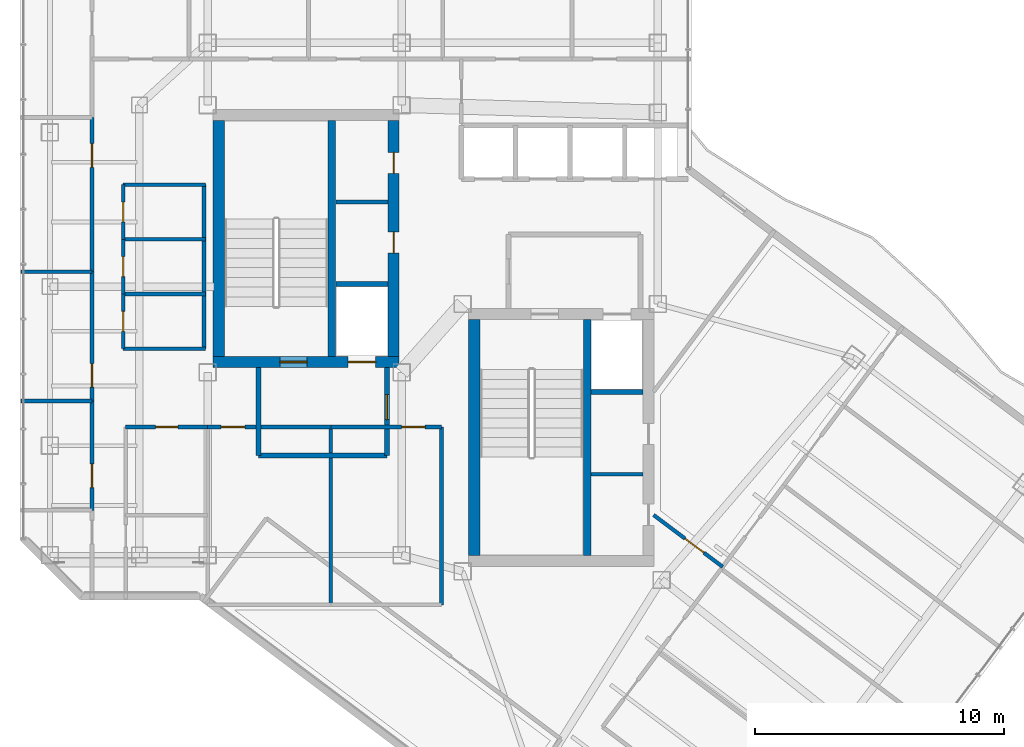
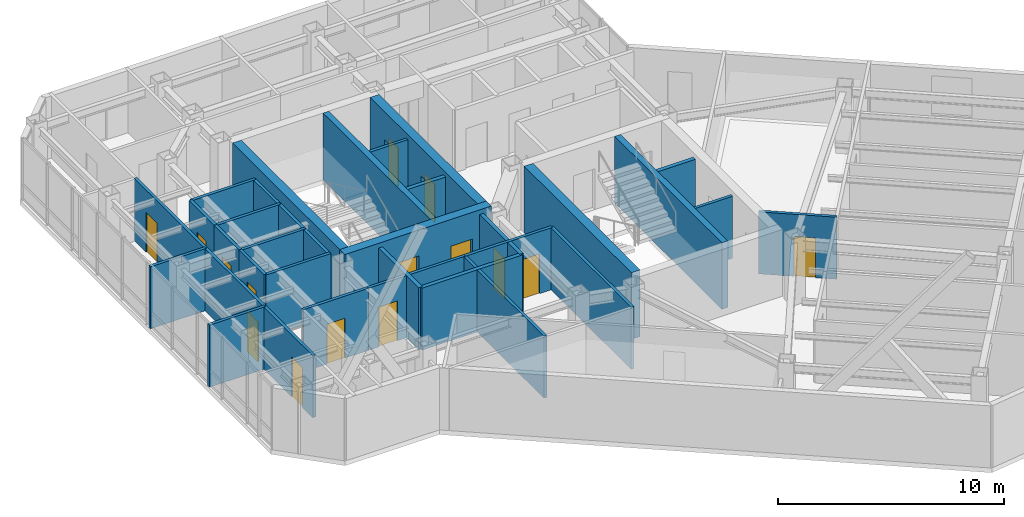
# One storey, part 20 of 25: 32 walls, 15 doors, 15 openings.
"""IFC4 building model written with IfcOpenShell, lengths in metres."""

from ifc_helpers import new_model, si_unit, direction, frame, frame_2d, origin, place, context, subcontext, project, spatial, rectangle, extrude, material, layer, layer_set, type_object, element, fill, save


model = new_model("IFC4")

# Units and contexts
model_context = context("Model", 3, precision=1e-05, world=origin(), true_north=direction((0.0, 1.0)))
body_context = subcontext(model_context, "Body", "Model", "MODEL_VIEW")
ifc_project = project(units=[si_unit("LENGTHUNIT", "METRE"), si_unit("AREAUNIT", "SQUARE_METRE"), si_unit("VOLUMEUNIT", "CUBIC_METRE"), si_unit("PLANEANGLEUNIT", "RADIAN"), si_unit("MASSUNIT", "GRAM", prefix="KILO")], contexts=[model_context])

# Site, building, storey
site_placement = place(None, origin())
site = spatial("IfcSite", under=ifc_project, at=site_placement, CompositionType="ELEMENT")
building_placement = place(site_placement, origin())
building = spatial("IfcBuilding", under=site, at=building_placement, Name="Hatsunagi Terrace Concourse", CompositionType="ELEMENT")
storey_placement = place(building_placement, frame((0.0, 0.0, 223.949951171875)))
storey = spatial("IfcBuildingStorey", under=building, at=storey_placement, Name="L59", CompositionType="ELEMENT", Elevation=223.949951171875)

# Wall, openings, doors
ifc_material_1 = material(Name="Concrete Fc42", Category="concrete")
ifc_layer_1 = layer(ifc_material_1, 0.449951171875)
ifc_layer_set_1 = layer_set([ifc_layer_1], Name="CoreShearWall_Fc42_450")
wall_type_1 = type_object("IfcWallType", Name="CoreShearWall_Fc42_450", PredefinedType="SHEAR", material=ifc_layer_set_1)
wall_1_placement = place(storey_placement, frame((25.77001953125, 32.965087890625, 0.0), z_axis=(0.0, 0.0, 1.0), x_axis=(1.0, 0.0, 0.0)))
wall_1 = element("IfcWall", 1, at=wall_1_placement, inside=storey, type_object=wall_type_1, Name="Core A Shear Wall S L59", PredefinedType="SHEAR", context=body_context, shape_type="SweptSolid", body=[
    extrude(rectangle(XDim=7.47998046875, YDim=0.449951171875, at=frame_2d((3.739990234375, 0.0))), origin(), (0.0, 0.0, 1.0), 3.60009765625),
])
opening_1_placement = place(wall_1_placement, frame((2.679931640625, 0.0, 0.0)))
opening_1 = element("IfcOpeningElement", 2, at=opening_1_placement, cuts=wall_1, Name="Opening DR-110S", PredefinedType="OPENING", context=body_context, shape_type="SweptSolid", body=[
    extrude(rectangle(XDim=1.10009765625, YDim=2.199951171875, at=frame_2d((0.550048828125, 1.10009765625))), frame((0.0, 0.23486328125, 0.0), z_axis=(0.0, -1.0, 0.0), x_axis=(1.0, 0.0, 0.0)), (0.0, 0.0, 1.0), 0.469970703125),
])
opening_2_placement = place(wall_1_placement, frame((5.429931640625, 0.0, 0.0)))
opening_2 = element("IfcOpeningElement", 3, at=opening_2_placement, cuts=wall_1, Name="Opening LD-01", PredefinedType="OPENING", context=body_context, shape_type="SweptSolid", body=[
    extrude(rectangle(XDim=1.10009765625, YDim=2.14990234375, at=frame_2d((0.550048828125, 1.074951171875))), frame((0.0, 0.23486328125, 0.0), z_axis=(0.0, -1.0, 0.0), x_axis=(1.0, 0.0, 0.0)), (0.0, 0.0, 1.0), 0.469970703125),
])
ifc_material_2 = material(Name="Stainless steel", Category="steel")
door_type_1 = type_object("IfcDoorType", Name="LiftLandingDoor_LD01", OperationType="SLIDING_TO_LEFT", PredefinedType="USERDEFINED", material=ifc_material_2)
door_1_placement = place(opening_2_placement, origin())
door_1 = element("IfcDoor", 4, at=door_1_placement, inside=storey, type_object=door_type_1, Name="Lift landing door FF-01 L59", ObjectType="SLIDING_LANDING_DOOR", OperationType="SLIDING_TO_LEFT", OverallHeight=2.14990234375, OverallWidth=1.10009765625, PredefinedType="USERDEFINED", context=body_context, shape_type="SweptSolid", body=[
    extrude(rectangle(XDim=1.10009765625, YDim=2.14990234375, at=frame_2d((0.550048828125, 1.074951171875))), frame((0.0, 0.02490234375, 0.0), z_axis=(0.0, -1.0, 0.0), x_axis=(1.0, 0.0, 0.0)), (0.0, 0.0, 1.0), 0.050048828125),
])
fill(opening_2, door_1)
ifc_material_3 = material(Name="Painted steel", Category="steel")
door_type_2 = type_object("IfcDoorType", Name="StairFireDoor_EI60_1100", OperationType="NOTDEFINED", PredefinedType="DOOR", material=ifc_material_3)
door_2_placement = place(opening_1_placement, origin())
door_2 = element("IfcDoor", 5, at=door_2_placement, inside=storey, type_object=door_type_2, Name="Stair ST-A Exit Door L59", OperationType="SINGLE_SWING_LEFT", OverallHeight=2.199951171875, OverallWidth=1.10009765625, PredefinedType="DOOR", context=body_context, shape_type="SweptSolid", body=[
    extrude(rectangle(XDim=1.10009765625, YDim=2.199951171875, at=frame_2d((0.550048828125, 1.10009765625))), frame((0.0, 0.02490234375, 0.0), z_axis=(0.0, -1.0, 0.0), x_axis=(1.0, 0.0, 0.0)), (0.0, 0.0, 1.0), 0.050048828125),
])
fill(opening_1, door_2)

# Wall
wall_2_placement = place(storey_placement, frame((25.9951171875, 33.18994140625, 0.0), z_axis=(0.0, 0.0, 1.0), x_axis=(0.0, 1.0, 0.0)))
element("IfcWall", 6, at=wall_2_placement, inside=storey, type_object=wall_type_1, Name="Core A Shear Wall W L59", PredefinedType="SHEAR", context=body_context, shape_type="SweptSolid", body=[
    extrude(rectangle(XDim=9.47998046875, YDim=0.449951171875, at=frame_2d((4.739990234375, 0.0))), origin(), (0.0, 0.0, 1.0), 3.60009765625),
])

# Wall, openings, doors
wall_3_placement = place(storey_placement, frame((33.02490234375, 33.18994140625, 0.0), z_axis=(0.0, 0.0, 1.0), x_axis=(0.0, 1.0, 0.0)))
wall_3 = element("IfcWall", 7, at=wall_3_placement, inside=storey, type_object=wall_type_1, Name="Core A Shear Wall E L59", PredefinedType="SHEAR", context=body_context, shape_type="SweptSolid", body=[
    extrude(rectangle(XDim=9.47998046875, YDim=0.449951171875, at=frame_2d((4.739990234375, 0.0))), origin(), (0.0, 0.0, 1.0), 3.60009765625),
])
opening_3_placement = place(wall_3_placement, frame((4.159912109375, 0.0, 0.0)))
opening_3 = element("IfcOpeningElement", 8, at=opening_3_placement, cuts=wall_3, Name="Opening DR-085", PredefinedType="OPENING", context=body_context, shape_type="SweptSolid", body=[
    extrude(rectangle(XDim=0.85009765625, YDim=2.080078125, at=frame_2d((0.425048828125, 1.0400390625))), frame((0.0, 0.23486328125, 0.0), z_axis=(0.0, -1.0, 0.0), x_axis=(1.0, 0.0, 0.0)), (0.0, 0.0, 1.0), 0.469970703125),
])
opening_4_placement = place(wall_3_placement, frame((7.360107421875, 0.0, 0.0)))
opening_4 = element("IfcOpeningElement", 9, at=opening_4_placement, cuts=wall_3, Name="Opening DR-085", PredefinedType="OPENING", context=body_context, shape_type="SweptSolid", body=[
    extrude(rectangle(XDim=0.85009765625, YDim=2.080078125, at=frame_2d((0.425048828125, 1.0400390625))), frame((0.0, 0.23486328125, 0.0), z_axis=(0.0, -1.0, 0.0), x_axis=(1.0, 0.0, 0.0)), (0.0, 0.0, 1.0), 0.469970703125),
])
ifc_material_4 = material(Name="Painted steel", Category="steel")
door_type_3 = type_object("IfcDoorType", Name="RiserAccessDoor_EI60_850", OperationType="NOTDEFINED", PredefinedType="DOOR", material=ifc_material_4)
door_3_placement = place(opening_3_placement, origin())
door_3 = element("IfcDoor", 10, at=door_3_placement, inside=storey, type_object=door_type_3, Name="Core A Riser Door L59-1", OperationType="SINGLE_SWING_LEFT", OverallHeight=2.080078125, OverallWidth=0.85009765625, PredefinedType="DOOR", context=body_context, shape_type="SweptSolid", body=[
    extrude(rectangle(XDim=0.85009765625, YDim=2.080078125, at=frame_2d((0.425048828125, 1.0400390625))), frame((0.0, 0.02490234375, 0.0), z_axis=(0.0, -1.0, 0.0), x_axis=(1.0, 0.0, 0.0)), (0.0, 0.0, 1.0), 0.050048828125),
])
fill(opening_3, door_3)
door_4_placement = place(opening_4_placement, origin())
door_4 = element("IfcDoor", 11, at=door_4_placement, inside=storey, type_object=door_type_3, Name="Core A Riser Door L59-2", OperationType="SINGLE_SWING_LEFT", OverallHeight=2.080078125, OverallWidth=0.85009765625, PredefinedType="DOOR", context=body_context, shape_type="SweptSolid", body=[
    extrude(rectangle(XDim=0.85009765625, YDim=2.080078125, at=frame_2d((0.425048828125, 1.0400390625))), frame((0.0, 0.02490234375, 0.0), z_axis=(0.0, -1.0, 0.0), x_axis=(1.0, 0.0, 0.0)), (0.0, 0.0, 1.0), 0.050048828125),
])
fill(opening_4, door_4)

# Walls
wall_4_placement = place(storey_placement, frame((36.264892578125, 25.18994140625, 0.0), z_axis=(0.0, 0.0, 1.0), x_axis=(0.0, 1.0, 0.0)))
element("IfcWall", 12, at=wall_4_placement, inside=storey, type_object=wall_type_1, Name="Core B Shear Wall W L59", PredefinedType="SHEAR", context=body_context, shape_type="SweptSolid", body=[
    extrude(rectangle(XDim=9.47998046875, YDim=0.449951171875, at=frame_2d((4.739990234375, 0.0))), origin(), (0.0, 0.0, 1.0), 3.60009765625),
])
ifc_material_5 = material(Name="Concrete Fc48", Category="concrete")
ifc_layer_2 = layer(ifc_material_5, 0.300048828125)
ifc_layer_set_2 = layer_set([ifc_layer_2], Name="CoreStairDivider_Fc48_300")
wall_type_2 = type_object("IfcWallType", Name="CoreStairDivider_Fc48_300", PredefinedType="SHEAR", material=ifc_layer_set_2)
for number, where, z_axis, x_axis, name in (
    (13, (30.5400390625, 33.18994140625, 0.0), (0.0, 0.0, 1.0), (0.0, 1.0, 0.0), "Core A Shear Wall D L59"),
    (14, (40.81005859375, 25.18994140625, 0.0), (0.0, 0.0, 1.0), (0.0, 1.0, 0.0), "Core B Shear Wall D L59"),
):
    element("IfcWall", number, at=place(storey_placement, frame(where, z_axis=z_axis, x_axis=x_axis)), inside=storey, type_object=wall_type_2, Name=name, PredefinedType="SHEAR", context=body_context, shape_type="SweptSolid", body=[
        extrude(rectangle(XDim=9.47998046875, YDim=0.300048828125, at=frame_2d((4.739990234375, 0.0))), origin(), (0.0, 0.0, 1.0), 3.60009765625),
    ])
ifc_material_6 = material(Name="Acoustic mineral board", Category="gypsum")
ifc_layer_3 = layer(ifc_material_6, 0.14990234375)
ifc_layer_set_3 = layer_set([ifc_layer_3], Name="PartitionWall_EI60_150")
wall_type_3 = type_object("IfcWallType", Name="PartitionWall_EI60_150", PredefinedType="PARTITIONING", material=ifc_layer_set_3)
wall_5_placement = place(storey_placement, frame((30.699951171875, 39.39990234375, 0.0), z_axis=(0.0, 0.0, 1.0), x_axis=(1.0, 0.0, 0.0)))
element("IfcWall", 15, at=wall_5_placement, inside=storey, type_object=wall_type_3, Name="Interior Partition IW-L59-002", PredefinedType="PARTITIONING", context=body_context, shape_type="SweptSolid", body=[
    extrude(rectangle(XDim=2.10009765625, YDim=0.14990234375, at=frame_2d((1.050048828125, 0.0))), origin(), (0.0, 0.0, 1.0), 3.35009765625),
])
wall_6_placement = place(storey_placement, frame((40.969970703125, 28.449951171875, 0.0), z_axis=(0.0, 0.0, 1.0), x_axis=(1.0, 0.0, 0.0)))
element("IfcWall", 16, at=wall_6_placement, inside=storey, type_object=wall_type_3, Name="Interior Partition IW-L59-004", PredefinedType="PARTITIONING", context=body_context, shape_type="SweptSolid", body=[
    extrude(rectangle(XDim=2.080078125, YDim=0.14990234375, at=frame_2d((1.0400390625, 0.0))), origin(), (0.0, 0.0, 1.0), 3.35009765625),
])
for number, where, z_axis, x_axis, name in (
    (17, (22.14990234375, 33.5, 0.0), (0.0, 0.0, 1.0), (1.0, 0.0, 0.0), "Interior Partition IW-L59-017"),
    (18, (22.14990234375, 40.10009765625, 0.0), (0.0, 0.0, 1.0), (1.0, 0.0, 0.0), "Interior Partition IW-L59-018"),
):
    element("IfcWall", number, at=place(storey_placement, frame(where, z_axis=z_axis, x_axis=x_axis)), inside=storey, type_object=wall_type_3, Name=name, PredefinedType="PARTITIONING", context=body_context, shape_type="SweptSolid", body=[
        extrude(rectangle(XDim=3.300048828125, YDim=0.14990234375, at=frame_2d((1.64990234375, 0.0))), origin(), (0.0, 0.0, 1.0), 3.35009765625),
    ])
wall_7_placement = place(storey_placement, frame((25.39990234375, 33.5, 0.0), z_axis=(0.0, 0.0, 1.0), x_axis=(0.0, 1.0, 0.0)))
element("IfcWall", 19, at=wall_7_placement, inside=storey, type_object=wall_type_3, Name="Interior Partition IW-L59-019", PredefinedType="PARTITIONING", context=body_context, shape_type="SweptSolid", body=[
    extrude(rectangle(XDim=6.60009765625, YDim=0.14990234375, at=frame_2d((3.300048828125, 0.0))), origin(), (0.0, 0.0, 1.0), 3.35009765625),
])
for number, where, z_axis, x_axis, name in (
    (20, (22.14990234375, 35.699951171875, 0.0), (0.0, 0.0, 1.0), (1.0, 0.0, 0.0), "Interior Partition IW-L59-020"),
    (21, (22.14990234375, 37.89990234375, 0.0), (0.0, 0.0, 1.0), (1.0, 0.0, 0.0), "Interior Partition IW-L59-021"),
):
    element("IfcWall", number, at=place(storey_placement, frame(where, z_axis=z_axis, x_axis=x_axis)), inside=storey, type_object=wall_type_3, Name=name, PredefinedType="PARTITIONING", context=body_context, shape_type="SweptSolid", body=[
        extrude(rectangle(XDim=3.300048828125, YDim=0.14990234375, at=frame_2d((1.64990234375, 0.0))), origin(), (0.0, 0.0, 1.0), 3.35009765625),
    ])

# Wall, opening, door
wall_8_placement = place(storey_placement, frame((22.14990234375, 33.5, 0.0), z_axis=(0.0, 0.0, 1.0), x_axis=(0.0, 1.0, 0.0)))
wall_8 = element("IfcWall", 22, at=wall_8_placement, inside=storey, type_object=wall_type_3, Name="Interior Partition IW-L59-022", PredefinedType="PARTITIONING", context=body_context, shape_type="SweptSolid", body=[
    extrude(rectangle(XDim=2.199951171875, YDim=0.14990234375, at=frame_2d((1.10009765625, 0.0))), origin(), (0.0, 0.0, 1.0), 3.35009765625),
])
opening_5_placement = place(wall_8_placement, frame((0.699951171875, 0.0, 0.0)))
opening_5 = element("IfcOpeningElement", 23, at=opening_5_placement, cuts=wall_8, Name="Opening DR-080", PredefinedType="OPENING", context=body_context, shape_type="SweptSolid", body=[
    extrude(rectangle(XDim=0.800048828125, YDim=2.06005859375, at=frame_2d((0.39990234375, 1.030029296875))), frame((0.0, 0.0849609375, 0.0), z_axis=(0.0, -1.0, 0.0), x_axis=(1.0, 0.0, 0.0)), (0.0, 0.0, 1.0), 0.169921875),
])
ifc_material_7 = material(Name="Hardwood timber", Category="wood")
door_type_4 = type_object("IfcDoorType", Name="BathroomDoor_800", OperationType="NOTDEFINED", PredefinedType="DOOR", material=ifc_material_7)
door_5_placement = place(opening_5_placement, origin())
door_5 = element("IfcDoor", 24, at=door_5_placement, inside=storey, type_object=door_type_4, Name="Accessible WC Door L59", OperationType="SINGLE_SWING_RIGHT", OverallHeight=2.06005859375, OverallWidth=0.800048828125, PredefinedType="DOOR", context=body_context, shape_type="SweptSolid", body=[
    extrude(rectangle(XDim=0.800048828125, YDim=2.06005859375, at=frame_2d((0.39990234375, 1.030029296875))), frame((0.0, 0.02490234375, 0.0), z_axis=(0.0, -1.0, 0.0), x_axis=(1.0, 0.0, 0.0)), (0.0, 0.0, 1.0), 0.050048828125),
])
fill(opening_5, door_5)

wall_9_placement = place(storey_placement, frame((22.14990234375, 35.699951171875, 0.0), z_axis=(0.0, 0.0, 1.0), x_axis=(0.0, 1.0, 0.0)))
wall_9 = element("IfcWall", 25, at=wall_9_placement, inside=storey, type_object=wall_type_3, Name="Interior Partition IW-L59-023", PredefinedType="PARTITIONING", context=body_context, shape_type="SweptSolid", body=[
    extrude(rectangle(XDim=2.199951171875, YDim=0.14990234375, at=frame_2d((1.10009765625, 0.0))), origin(), (0.0, 0.0, 1.0), 3.35009765625),
])
opening_6_placement = place(wall_9_placement, frame((0.699951171875, 0.0, 0.0)))
opening_6 = element("IfcOpeningElement", 26, at=opening_6_placement, cuts=wall_9, Name="Opening DR-080", PredefinedType="OPENING", context=body_context, shape_type="SweptSolid", body=[
    extrude(rectangle(XDim=0.800048828125, YDim=2.06005859375, at=frame_2d((0.39990234375, 1.030029296875))), frame((0.0, 0.0849609375, 0.0), z_axis=(0.0, -1.0, 0.0), x_axis=(1.0, 0.0, 0.0)), (0.0, 0.0, 1.0), 0.169921875),
])
door_6_placement = place(opening_6_placement, origin())
door_6 = element("IfcDoor", 27, at=door_6_placement, inside=storey, type_object=door_type_4, Name="Female Restroom Door L59", OperationType="SINGLE_SWING_RIGHT", OverallHeight=2.06005859375, OverallWidth=0.800048828125, PredefinedType="DOOR", context=body_context, shape_type="SweptSolid", body=[
    extrude(rectangle(XDim=0.800048828125, YDim=2.06005859375, at=frame_2d((0.39990234375, 1.030029296875))), frame((0.0, 0.02490234375, 0.0), z_axis=(0.0, -1.0, 0.0), x_axis=(1.0, 0.0, 0.0)), (0.0, 0.0, 1.0), 0.050048828125),
])
fill(opening_6, door_6)

wall_10_placement = place(storey_placement, frame((22.14990234375, 37.89990234375, 0.0), z_axis=(0.0, 0.0, 1.0), x_axis=(0.0, 1.0, 0.0)))
wall_10 = element("IfcWall", 28, at=wall_10_placement, inside=storey, type_object=wall_type_3, Name="Interior Partition IW-L59-024", PredefinedType="PARTITIONING", context=body_context, shape_type="SweptSolid", body=[
    extrude(rectangle(XDim=2.2001953125, YDim=0.14990234375, at=frame_2d((1.10009765625, 0.0))), origin(), (0.0, 0.0, 1.0), 3.35009765625),
])
opening_7_placement = place(wall_10_placement, frame((0.699951171875, 0.0, 0.0)))
opening_7 = element("IfcOpeningElement", 29, at=opening_7_placement, cuts=wall_10, Name="Opening DR-080", PredefinedType="OPENING", context=body_context, shape_type="SweptSolid", body=[
    extrude(rectangle(XDim=0.800048828125, YDim=2.06005859375, at=frame_2d((0.39990234375, 1.030029296875))), frame((0.0, 0.0849609375, 0.0), z_axis=(0.0, -1.0, 0.0), x_axis=(1.0, 0.0, 0.0)), (0.0, 0.0, 1.0), 0.169921875),
])
door_7_placement = place(opening_7_placement, origin())
door_7 = element("IfcDoor", 30, at=door_7_placement, inside=storey, type_object=door_type_4, Name="Male Restroom Door L59", OperationType="SINGLE_SWING_RIGHT", OverallHeight=2.06005859375, OverallWidth=0.800048828125, PredefinedType="DOOR", context=body_context, shape_type="SweptSolid", body=[
    extrude(rectangle(XDim=0.800048828125, YDim=2.06005859375, at=frame_2d((0.39990234375, 1.030029296875))), frame((0.0, 0.02490234375, 0.0), z_axis=(0.0, -1.0, 0.0), x_axis=(1.0, 0.0, 0.0)), (0.0, 0.0, 1.0), 0.050048828125),
])
fill(opening_7, door_7)

wall_11_placement = place(storey_placement, frame((25.550048828125, 30.35009765625, 0.0), z_axis=(0.0, 0.0, 1.0), x_axis=(1.0, 0.0, 0.0)))
wall_11 = element("IfcWall", 31, at=wall_11_placement, inside=storey, type_object=wall_type_3, Name="Interior Partition IW-L59-026", PredefinedType="PARTITIONING", context=body_context, shape_type="SweptSolid", body=[
    extrude(rectangle(XDim=4.949951171875, YDim=0.14990234375, at=frame_2d((2.47509765625, 0.0))), origin(), (0.0, 0.0, 1.0), 3.35009765625),
])
opening_8_placement = place(wall_11_placement, frame((0.5419921875, 0.0, 0.0)))
opening_8 = element("IfcOpeningElement", 32, at=opening_8_placement, cuts=wall_11, Name="Opening DR-095", PredefinedType="OPENING", context=body_context, shape_type="SweptSolid", body=[
    extrude(rectangle(XDim=0.949951171875, YDim=2.14990234375, at=frame_2d((0.47509765625, 1.074951171875))), frame((0.0, 0.0849609375, 0.0), z_axis=(0.0, -1.0, 0.0), x_axis=(1.0, 0.0, 0.0)), (0.0, 0.0, 1.0), 0.169921875),
])
ifc_material_8 = material(Name="Hardwood timber", Category="wood")
door_type_5 = type_object("IfcDoorType", Name="InteriorSuiteDoor_EI30_950", OperationType="NOTDEFINED", PredefinedType="DOOR", material=ifc_material_8)
door_8_placement = place(opening_8_placement, origin())
door_8 = element("IfcDoor", 33, at=door_8_placement, inside=storey, type_object=door_type_5, Name="Breakout Pantry L59-RECL1 Door", OperationType="SINGLE_SWING_RIGHT", OverallHeight=2.14990234375, OverallWidth=0.949951171875, PredefinedType="DOOR", context=body_context, shape_type="SweptSolid", body=[
    extrude(rectangle(XDim=0.949951171875, YDim=2.14990234375, at=frame_2d((0.47509765625, 1.074951171875))), frame((0.0, 0.02490234375, 0.0), z_axis=(0.0, -1.0, 0.0), x_axis=(1.0, 0.0, 0.0)), (0.0, 0.0, 1.0), 0.050048828125),
])
fill(opening_8, door_8)

# Wall
wall_12_placement = place(storey_placement, frame((30.5, 23.199951171875, 0.0), z_axis=(0.0, 0.0, 1.0), x_axis=(0.0, 1.0, 0.0)))
element("IfcWall", 34, at=wall_12_placement, inside=storey, type_object=wall_type_3, Name="Interior Partition IW-L59-028", PredefinedType="PARTITIONING", context=body_context, shape_type="SweptSolid", body=[
    extrude(rectangle(XDim=7.150146484375, YDim=0.14990234375, at=frame_2d((3.5751953125, 0.0))), origin(), (0.0, 0.0, 1.0), 3.35009765625),
])

# Wall, opening, door
wall_13_placement = place(storey_placement, frame((30.5, 30.35009765625, 0.0), z_axis=(0.0, 0.0, 1.0), x_axis=(1.0, 0.0, 0.0)))
wall_13 = element("IfcWall", 35, at=wall_13_placement, inside=storey, type_object=wall_type_3, Name="Interior Partition IW-L59-030", PredefinedType="PARTITIONING", context=body_context, shape_type="SweptSolid", body=[
    extrude(rectangle(XDim=4.449951171875, YDim=0.14990234375, at=frame_2d((2.22509765625, 0.0))), origin(), (0.0, 0.0, 1.0), 3.35009765625),
])
opening_9_placement = place(wall_13_placement, frame((2.845947265625, 0.0, 0.0)))
opening_9 = element("IfcOpeningElement", 36, at=opening_9_placement, cuts=wall_13, Name="Opening DR-095", PredefinedType="OPENING", context=body_context, shape_type="SweptSolid", body=[
    extrude(rectangle(XDim=0.949951171875, YDim=2.14990234375, at=frame_2d((0.47509765625, 1.074951171875))), frame((0.0, 0.0849609375, 0.0), z_axis=(0.0, -1.0, 0.0), x_axis=(1.0, 0.0, 0.0)), (0.0, 0.0, 1.0), 0.169921875),
])
door_9_placement = place(opening_9_placement, origin())
door_9 = element("IfcDoor", 37, at=door_9_placement, inside=storey, type_object=door_type_5, Name="Focus Room L59-RECL2 Door", OperationType="SINGLE_SWING_RIGHT", OverallHeight=2.14990234375, OverallWidth=0.949951171875, PredefinedType="DOOR", context=body_context, shape_type="SweptSolid", body=[
    extrude(rectangle(XDim=0.949951171875, YDim=2.14990234375, at=frame_2d((0.47509765625, 1.074951171875))), frame((0.0, 0.02490234375, 0.0), z_axis=(0.0, -1.0, 0.0), x_axis=(1.0, 0.0, 0.0)), (0.0, 0.0, 1.0), 0.050048828125),
])
fill(opening_9, door_9)

# Walls
wall_14_placement = place(storey_placement, frame((34.949951171875, 23.199951171875, 0.0), z_axis=(0.0, 0.0, 1.0), x_axis=(0.0, 1.0, 0.0)))
element("IfcWall", 38, at=wall_14_placement, inside=storey, type_object=wall_type_3, Name="Interior Partition IW-L59-031", PredefinedType="PARTITIONING", context=body_context, shape_type="SweptSolid", body=[
    extrude(rectangle(XDim=7.150146484375, YDim=0.14990234375, at=frame_2d((3.5751953125, 0.0))), origin(), (0.0, 0.0, 1.0), 3.35009765625),
])
wall_15_placement = place(storey_placement, frame((18.0400390625, 31.39990234375, 0.0), z_axis=(0.0, 0.0, 1.0), x_axis=(1.0, 0.0, 0.0)))
element("IfcWall", 39, at=wall_15_placement, inside=storey, type_object=wall_type_3, Name="Interior Partition IW-L59-034", PredefinedType="PARTITIONING", context=body_context, shape_type="SweptSolid", body=[
    extrude(rectangle(XDim=2.85986328125, YDim=0.14990234375, at=frame_2d((1.429931640625, 0.0))), origin(), (0.0, 0.0, 1.0), 3.35009765625),
])

# Wall, opening, door
wall_16_placement = place(storey_placement, frame((20.89990234375, 27.0, 0.0), z_axis=(0.0, 0.0, 1.0), x_axis=(0.0, 1.0, 0.0)))
wall_16 = element("IfcWall", 40, at=wall_16_placement, inside=storey, type_object=wall_type_3, Name="Interior Partition IW-L59-035", PredefinedType="PARTITIONING", context=body_context, shape_type="SweptSolid", body=[
    extrude(rectangle(XDim=4.39990234375, YDim=0.14990234375, at=frame_2d((2.199951171875, 0.0))), origin(), (0.0, 0.0, 1.0), 3.35009765625),
])
opening_10_placement = place(wall_16_placement, frame((0.91796875, 0.0, 0.0)))
opening_10 = element("IfcOpeningElement", 41, at=opening_10_placement, cuts=wall_16, Name="Opening DR-095", PredefinedType="OPENING", context=body_context, shape_type="SweptSolid", body=[
    extrude(rectangle(XDim=0.949951171875, YDim=2.14990234375, at=frame_2d((0.47509765625, 1.074951171875))), frame((0.0, 0.0849609375, 0.0), z_axis=(0.0, -1.0, 0.0), x_axis=(1.0, 0.0, 0.0)), (0.0, 0.0, 1.0), 0.169921875),
])
door_10_placement = place(opening_10_placement, origin())
door_10 = element("IfcDoor", 42, at=door_10_placement, inside=storey, type_object=door_type_5, Name="Executive Office L59-OW2 Door", OperationType="SINGLE_SWING_RIGHT", OverallHeight=2.14990234375, OverallWidth=0.949951171875, PredefinedType="DOOR", context=body_context, shape_type="SweptSolid", body=[
    extrude(rectangle(XDim=0.949951171875, YDim=2.14990234375, at=frame_2d((0.47509765625, 1.074951171875))), frame((0.0, 0.02490234375, 0.0), z_axis=(0.0, -1.0, 0.0), x_axis=(1.0, 0.0, 0.0)), (0.0, 0.0, 1.0), 0.050048828125),
])
fill(opening_10, door_10)

# Wall
wall_17_placement = place(storey_placement, frame((18.0400390625, 36.60009765625, 0.0), z_axis=(0.0, 0.0, 1.0), x_axis=(1.0, 0.0, 0.0)))
element("IfcWall", 43, at=wall_17_placement, inside=storey, type_object=wall_type_3, Name="Interior Partition IW-L59-036", PredefinedType="PARTITIONING", context=body_context, shape_type="SweptSolid", body=[
    extrude(rectangle(XDim=2.85986328125, YDim=0.14990234375, at=frame_2d((1.429931640625, 0.0))), origin(), (0.0, 0.0, 1.0), 3.35009765625),
])

# Wall, opening, door
wall_18_placement = place(storey_placement, frame((20.89990234375, 31.39990234375, 0.0), z_axis=(0.0, 0.0, 1.0), x_axis=(0.0, 1.0, 0.0)))
wall_18 = element("IfcWall", 44, at=wall_18_placement, inside=storey, type_object=wall_type_3, Name="Interior Partition IW-L59-037", PredefinedType="PARTITIONING", context=body_context, shape_type="SweptSolid", body=[
    extrude(rectangle(XDim=5.2001953125, YDim=0.14990234375, at=frame_2d((2.60009765625, 0.0))), origin(), (0.0, 0.0, 1.0), 3.35009765625),
])
opening_11_placement = place(wall_18_placement, frame((0.553955078125, 0.0, 0.0)))
opening_11 = element("IfcOpeningElement", 45, at=opening_11_placement, cuts=wall_18, Name="Opening DR-095", PredefinedType="OPENING", context=body_context, shape_type="SweptSolid", body=[
    extrude(rectangle(XDim=0.949951171875, YDim=2.14990234375, at=frame_2d((0.47509765625, 1.074951171875))), frame((0.0, 0.0849609375, 0.0), z_axis=(0.0, -1.0, 0.0), x_axis=(1.0, 0.0, 0.0)), (0.0, 0.0, 1.0), 0.169921875),
])
door_11_placement = place(opening_11_placement, origin())
door_11 = element("IfcDoor", 46, at=door_11_placement, inside=storey, type_object=door_type_5, Name="Meeting Room L59-OW3 Door", OperationType="SINGLE_SWING_RIGHT", OverallHeight=2.14990234375, OverallWidth=0.949951171875, PredefinedType="DOOR", context=body_context, shape_type="SweptSolid", body=[
    extrude(rectangle(XDim=0.949951171875, YDim=2.14990234375, at=frame_2d((0.47509765625, 1.074951171875))), frame((0.0, 0.02490234375, 0.0), z_axis=(0.0, -1.0, 0.0), x_axis=(1.0, 0.0, 0.0)), (0.0, 0.0, 1.0), 0.050048828125),
])
fill(opening_11, door_11)

wall_19_placement = place(storey_placement, frame((20.89990234375, 36.60009765625, 0.0), z_axis=(0.0, 0.0, 1.0), x_axis=(0.0, 1.0, 0.0)))
wall_19 = element("IfcWall", 47, at=wall_19_placement, inside=storey, type_object=wall_type_3, Name="Interior Partition IW-L59-039", PredefinedType="PARTITIONING", context=body_context, shape_type="SweptSolid", body=[
    extrude(rectangle(XDim=6.199951171875, YDim=0.14990234375, at=frame_2d((3.10009765625, 0.0))), origin(), (0.0, 0.0, 1.0), 3.35009765625),
])
opening_12_placement = place(wall_19_placement, frame((4.196044921875, 0.0, 0.0)))
opening_12 = element("IfcOpeningElement", 48, at=opening_12_placement, cuts=wall_19, Name="Opening DR-095", PredefinedType="OPENING", context=body_context, shape_type="SweptSolid", body=[
    extrude(rectangle(XDim=0.949951171875, YDim=2.14990234375, at=frame_2d((0.47509765625, 1.074951171875))), frame((0.0, 0.0849609375, 0.0), z_axis=(0.0, -1.0, 0.0), x_axis=(1.0, 0.0, 0.0)), (0.0, 0.0, 1.0), 0.169921875),
])
door_12_placement = place(opening_12_placement, origin())
door_12 = element("IfcDoor", 49, at=door_12_placement, inside=storey, type_object=door_type_5, Name="Team Innovation Studio L59-OW4 Door", OperationType="SINGLE_SWING_RIGHT", OverallHeight=2.14990234375, OverallWidth=0.949951171875, PredefinedType="DOOR", context=body_context, shape_type="SweptSolid", body=[
    extrude(rectangle(XDim=0.949951171875, YDim=2.14990234375, at=frame_2d((0.47509765625, 1.074951171875))), frame((0.0, 0.02490234375, 0.0), z_axis=(0.0, -1.0, 0.0), x_axis=(1.0, 0.0, 0.0)), (0.0, 0.0, 1.0), 0.050048828125),
])
fill(opening_12, door_12)

wall_20_placement = place(storey_placement, frame((43.47998046875, 26.81494140625, 0.0), z_axis=(0.0, 0.0, 1.0), x_axis=(0.800008430676, -0.599988758934, 0.0)))
wall_20 = element("IfcWall", 50, at=wall_20_placement, inside=storey, type_object=wall_type_3, Name="Interior Partition IW-L59-060", PredefinedType="PARTITIONING", context=body_context, shape_type="SweptSolid", body=[
    extrude(rectangle(XDim=3.47509765625, YDim=0.14990234375, at=frame_2d((1.737548828125, 0.0))), origin(), (0.0, 0.0, 1.0), 3.35009765625),
])
opening_13_placement = place(wall_20_placement, frame((1.580078125, 0.0, 0.0)))
opening_13 = element("IfcOpeningElement", 51, at=opening_13_placement, cuts=wall_20, Name="Opening DR-095", PredefinedType="OPENING", context=body_context, shape_type="SweptSolid", body=[
    extrude(rectangle(XDim=0.949951171875, YDim=2.14990234375, at=frame_2d((0.47509765625, 1.074951171875))), frame((0.0, 0.0849609375, 0.0), z_axis=(0.0, -1.0, 0.0), x_axis=(1.0, 0.0, 0.0)), (0.0, 0.0, 1.0), 0.169921875),
])
door_13_placement = place(opening_13_placement, origin())
door_13 = element("IfcDoor", 52, at=door_13_placement, inside=storey, type_object=door_type_5, Name="Collaboration Lounge L59-OSEN1 Door", OperationType="SINGLE_SWING_LEFT", OverallHeight=2.14990234375, OverallWidth=0.949951171875, PredefinedType="DOOR", context=body_context, shape_type="SweptSolid", body=[
    extrude(rectangle(XDim=0.949951171875, YDim=2.14990234375, at=frame_2d((0.47509765625, 1.074951171875))), frame((0.0, 0.02490234375, 0.0), z_axis=(0.0, -1.0, 0.0), x_axis=(1.0, 0.0, 0.0)), (0.0, 0.0, 1.0), 0.050048828125),
])
fill(opening_13, door_13)

wall_21_placement = place(storey_placement, frame((22.25, 30.35009765625, 0.0), z_axis=(0.0, 0.0, 1.0), x_axis=(1.0, 0.0, 0.0)))
wall_21 = element("IfcWall", 53, at=wall_21_placement, inside=storey, type_object=wall_type_3, Name="Interior Partition IW-L59-064", PredefinedType="PARTITIONING", context=body_context, shape_type="SweptSolid", body=[
    extrude(rectangle(XDim=3.300048828125, YDim=0.14990234375, at=frame_2d((1.64990234375, 0.0))), origin(), (0.0, 0.0, 1.0), 3.35009765625),
])
opening_14_placement = place(wall_21_placement, frame((1.199951171875, 0.0, 0.0)))
opening_14 = element("IfcOpeningElement", 54, at=opening_14_placement, cuts=wall_21, Name="Opening DR-090", PredefinedType="OPENING", context=body_context, shape_type="SweptSolid", body=[
    extrude(rectangle(XDim=0.89990234375, YDim=2.14990234375, at=frame_2d((0.449951171875, 1.074951171875))), frame((0.0, 0.0849609375, 0.0), z_axis=(0.0, -1.0, 0.0), x_axis=(1.0, 0.0, 0.0)), (0.0, 0.0, 1.0), 0.169921875),
])
ifc_material_9 = material(Name="Hardwood timber", Category="wood")
door_type_6 = type_object("IfcDoorType", Name="CrownPavilionDoor_EI30_900", OperationType="NOTDEFINED", PredefinedType="DOOR", material=ifc_material_9)
door_14_placement = place(opening_14_placement, origin())
door_14 = element("IfcDoor", 55, at=door_14_placement, inside=storey, type_object=door_type_6, Name="Client Consultation Room L59-OCSWB Door", OperationType="SINGLE_SWING_RIGHT", OverallHeight=2.14990234375, OverallWidth=0.89990234375, PredefinedType="DOOR", context=body_context, shape_type="SweptSolid", body=[
    extrude(rectangle(XDim=0.89990234375, YDim=2.14990234375, at=frame_2d((0.449951171875, 1.074951171875))), frame((0.0, 0.02490234375, 0.0), z_axis=(0.0, -1.0, 0.0), x_axis=(1.0, 0.0, 0.0)), (0.0, 0.0, 1.0), 0.050048828125),
])
fill(opening_14, door_14)

# Walls
ifc_material_10 = material(Name="Acoustic mineral board", Category="gypsum")
ifc_layer_4 = layer(ifc_material_10, 0.199951171875)
ifc_layer_set_4 = layer_set([ifc_layer_4], Name="ShaftWall_EI120_200")
wall_type_4 = type_object("IfcWallType", Name="ShaftWall_EI120_200", PredefinedType="STANDARD", material=ifc_layer_set_4)
wall_22_placement = place(storey_placement, frame((30.699951171875, 36.10009765625, 0.0), z_axis=(0.0, 0.0, 1.0), x_axis=(1.0, 0.0, 0.0)))
element("IfcWall", 56, at=wall_22_placement, inside=storey, type_object=wall_type_4, Name="Interior Partition IW-L59-001", PredefinedType="STANDARD", context=body_context, shape_type="SweptSolid", body=[
    extrude(rectangle(XDim=2.10009765625, YDim=0.199951171875, at=frame_2d((1.050048828125, 0.0))), origin(), (0.0, 0.0, 1.0), 3.35009765625),
])
wall_23_placement = place(storey_placement, frame((40.969970703125, 31.760009765625, 0.0), z_axis=(0.0, 0.0, 1.0), x_axis=(1.0, 0.0, 0.0)))
element("IfcWall", 57, at=wall_23_placement, inside=storey, type_object=wall_type_4, Name="Interior Partition IW-L59-003", PredefinedType="STANDARD", context=body_context, shape_type="SweptSolid", body=[
    extrude(rectangle(XDim=2.080078125, YDim=0.199951171875, at=frame_2d((1.0400390625, 0.0))), origin(), (0.0, 0.0, 1.0), 3.35009765625),
])
wall_24_placement = place(storey_placement, frame((27.60009765625, 29.199951171875, 0.0), z_axis=(0.0, 0.0, 1.0), x_axis=(1.0, 0.0, 0.0)))
element("IfcWall", 58, at=wall_24_placement, inside=storey, type_object=wall_type_4, Name="Interior Partition IW-L59-005", PredefinedType="STANDARD", context=body_context, shape_type="SweptSolid", body=[
    extrude(rectangle(XDim=5.14990234375, YDim=0.199951171875, at=frame_2d((2.574951171875, 0.0))), origin(), (0.0, 0.0, 1.0), 3.35009765625),
])
wall_25_placement = place(storey_placement, frame((27.60009765625, 29.199951171875, 0.0), z_axis=(0.0, 0.0, 1.0), x_axis=(0.0, 1.0, 0.0)))
element("IfcWall", 59, at=wall_25_placement, inside=storey, type_object=wall_type_4, Name="Interior Partition IW-L59-006", PredefinedType="STANDARD", context=body_context, shape_type="SweptSolid", body=[
    extrude(rectangle(XDim=3.5400390625, YDim=0.199951171875, at=frame_2d((1.77001953125, 0.0))), origin(), (0.0, 0.0, 1.0), 3.35009765625),
])

# Wall, opening, door
wall_26_placement = place(storey_placement, frame((32.75, 29.199951171875, 0.0), z_axis=(0.0, 0.0, 1.0), x_axis=(0.0, 1.0, 0.0)))
wall_26 = element("IfcWall", 60, at=wall_26_placement, inside=storey, type_object=wall_type_4, Name="Interior Partition IW-L59-007", PredefinedType="STANDARD", context=body_context, shape_type="SweptSolid", body=[
    extrude(rectangle(XDim=3.5400390625, YDim=0.199951171875, at=frame_2d((1.77001953125, 0.0))), origin(), (0.0, 0.0, 1.0), 3.35009765625),
])
opening_15_placement = place(wall_26_placement, frame((1.449951171875, 0.0, 0.0)))
opening_15 = element("IfcOpeningElement", 61, at=opening_15_placement, cuts=wall_26, Name="Opening DR-100F", PredefinedType="OPENING", context=body_context, shape_type="SweptSolid", body=[
    extrude(rectangle(XDim=1.0, YDim=2.199951171875, at=frame_2d((0.5, 1.10009765625))), frame((0.0, 0.10986328125, 0.0), z_axis=(0.0, -1.0, 0.0), x_axis=(1.0, 0.0, 0.0)), (0.0, 0.0, 1.0), 0.219970703125),
])
ifc_material_11 = material(Name="Painted steel", Category="steel")
door_type_7 = type_object("IfcDoorType", Name="FireDoor_EI60_1000", OperationType="NOTDEFINED", PredefinedType="DOOR", material=ifc_material_11)
door_15_placement = place(opening_15_placement, origin())
door_15 = element("IfcDoor", 62, at=door_15_placement, inside=storey, type_object=door_type_7, Name="Firefighting Lobby A Door L59", OperationType="SINGLE_SWING_RIGHT", OverallHeight=2.199951171875, OverallWidth=1.0, PredefinedType="DOOR", context=body_context, shape_type="SweptSolid", body=[
    extrude(rectangle(XDim=1.0, YDim=2.199951171875, at=frame_2d((0.5, 1.10009765625))), frame((0.0, 0.02490234375, 0.0), z_axis=(0.0, -1.0, 0.0), x_axis=(1.0, 0.0, 0.0)), (0.0, 0.0, 1.0), 0.050048828125),
])
fill(opening_15, door_15)

save(model, "model.ifc")
